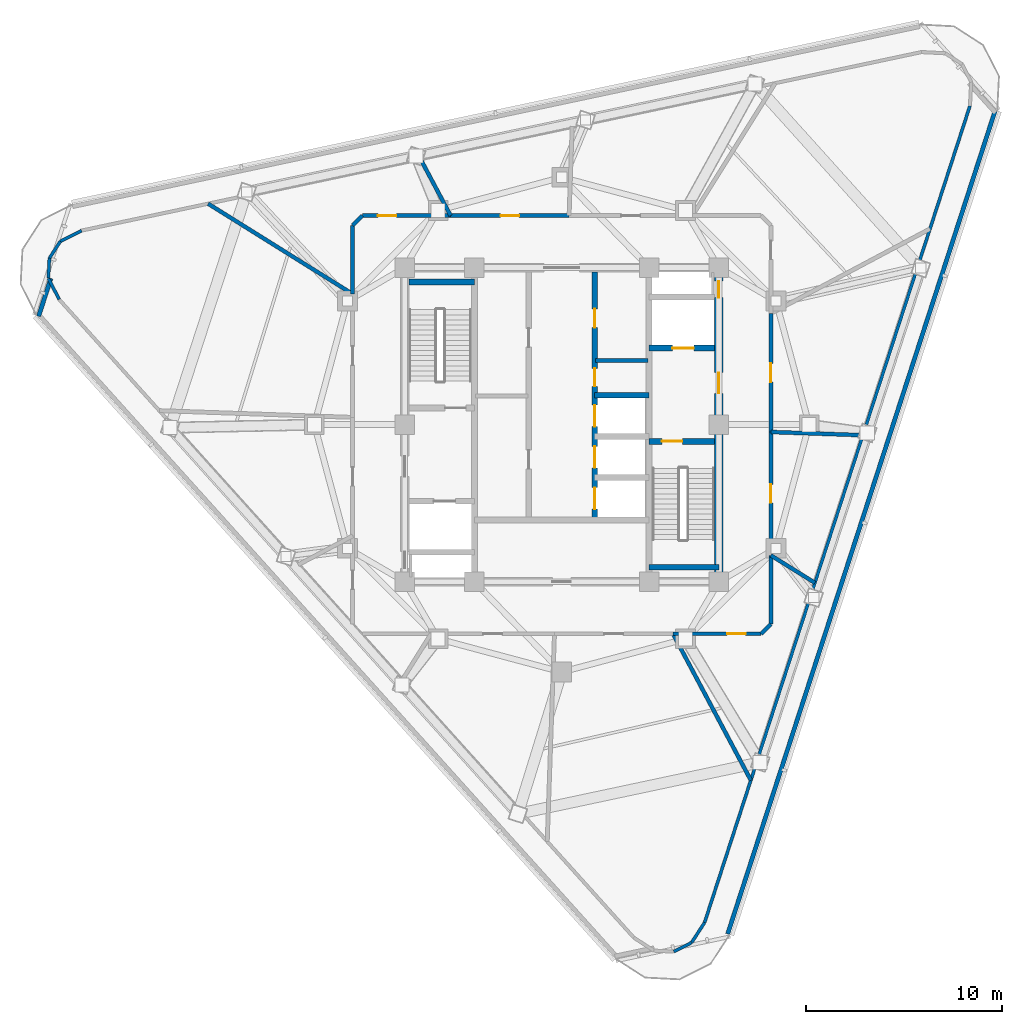
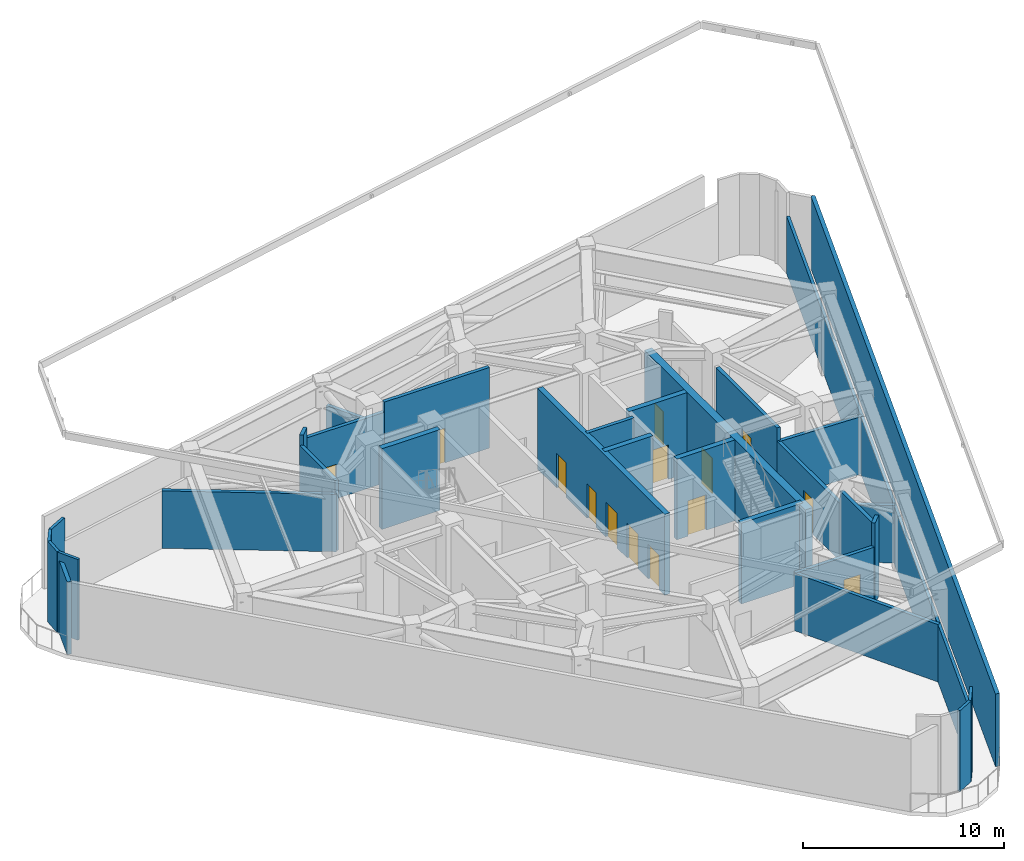
# One storey, part 4 of 10: 31 walls, 14 doors, 14 openings.
"""IFC4 building model written with IfcOpenShell, lengths in metres."""

from ifc_helpers import new_model, si_unit, direction, frame, frame_2d, origin, place, context, subcontext, project, spatial, rectangle, extrude, material, layer, layer_set, type_object, element, fill, save


model = new_model("IFC4")

# Units and contexts
model_context = context("Model", 3, precision=1e-05, world=origin(), true_north=direction((0.0, 1.0)))
body_context = subcontext(model_context, "Body", "Model", "MODEL_VIEW")
ifc_project = project(units=[si_unit("LENGTHUNIT", "METRE"), si_unit("AREAUNIT", "SQUARE_METRE"), si_unit("VOLUMEUNIT", "CUBIC_METRE"), si_unit("PLANEANGLEUNIT", "RADIAN"), si_unit("MASSUNIT", "GRAM", prefix="KILO")], contexts=[model_context])

# Site, building, storey
site_placement = place(None, origin())
site = spatial("IfcSite", under=ifc_project, at=site_placement, CompositionType="ELEMENT")
building_placement = place(site_placement, origin())
building = spatial("IfcBuilding", under=site, at=building_placement, Name="Terralouvre Media Tower", CompositionType="ELEMENT")
storey_placement = place(building_placement, frame((0.0, 0.0, 278.10009765625)))
storey = spatial("IfcBuildingStorey", under=building, at=storey_placement, Name="L72", CompositionType="ELEMENT", Elevation=278.10009765625)

# Wall
ifc_material_1 = material(Name="Concrete C50/60", Category="concrete")
ifc_layer_1 = layer(ifc_material_1, 0.300048828125, Name="Core Internal Shaft Wall CW-300")
ifc_layer_set_1 = layer_set([ifc_layer_1], Name="Concrete C50/60")
wall_type_1 = type_object("IfcWallType", Name="Core Internal Shaft Wall CW-300", PredefinedType="SHEAR", material=ifc_layer_set_1)
wall_1_placement = place(storey_placement, frame((-7.7900390625, 7.260009765625, 0.0), z_axis=(0.0, 0.0, 1.0), x_axis=(1.0, 0.0, 0.0)))
element("IfcWall", 1, at=wall_1_placement, inside=storey, type_object=wall_type_1, Name="L72 Core Shaft Wall ST1F", PredefinedType="SHEAR", context=body_context, shape_type="SweptSolid", body=[
    extrude(rectangle(XDim=3.340087890625, YDim=0.300048828125, at=frame_2d((1.669921875, 0.0))), origin(), (0.0, 0.0, 1.0), 4.89990234375),
])

# Wall, opening, door
wall_2_placement = place(storey_placement, frame((4.449951171875, -0.85009765625, 0.0), z_axis=(0.0, 0.0, 1.0), x_axis=(1.0, 0.0, 0.0)))
wall_2 = element("IfcWall", 2, at=wall_2_placement, inside=storey, type_object=wall_type_1, Name="L72 Core Shaft Wall ST2D", PredefinedType="SHEAR", context=body_context, shape_type="SweptSolid", body=[
    extrude(rectangle(XDim=3.340087890625, YDim=0.300048828125, at=frame_2d((1.669921875, 0.0))), origin(), (0.0, 0.0, 1.0), 4.89990234375),
])
opening_1_placement = place(wall_2_placement, frame((0.64990234375, 0.0, 0.0)))
opening_1 = element("IfcOpeningElement", 3, at=opening_1_placement, cuts=wall_2, Name="Opening FD-01-105X215", PredefinedType="OPENING", context=body_context, shape_type="SweptSolid", body=[
    extrude(rectangle(XDim=1.050048828125, YDim=2.14990234375, at=frame_2d((0.52490234375, 1.074951171875))), frame((0.0, 0.159912109375, 0.0), z_axis=(0.0, -1.0, 0.0), x_axis=(1.0, 0.0, 0.0)), (0.0, 0.0, 1.0), 0.320068359375),
])
ifc_material_2 = material(Name="Galvanised steel fire-resisting leaf", Category="steel")
door_type_1 = type_object("IfcDoorType", Name="Stair and Firefighting Lobby Fire Door FD-01 (1050x2150)", OperationType="NOTDEFINED", PredefinedType="DOOR", material=ifc_material_2)
door_1_placement = place(opening_1_placement, origin())
door_1 = element("IfcDoor", 4, at=door_1_placement, inside=storey, type_object=door_type_1, Name="L72 ST-02 Exit Stair Door", OperationType="SINGLE_SWING_RIGHT", OverallHeight=2.14990234375, OverallWidth=1.050048828125, PredefinedType="DOOR", context=body_context, shape_type="SweptSolid", body=[
    extrude(rectangle(XDim=1.050048828125, YDim=2.14990234375, at=frame_2d((0.52490234375, 1.074951171875))), frame((0.0, 0.02490234375, 0.0), z_axis=(0.0, -1.0, 0.0), x_axis=(1.0, 0.0, 0.0)), (0.0, 0.0, 1.0), 0.050048828125),
])
fill(opening_1, door_1)

# Wall
wall_3_placement = place(storey_placement, frame((4.449951171875, -7.260009765625, 0.0), z_axis=(0.0, 0.0, 1.0), x_axis=(1.0, 0.0, 0.0)))
element("IfcWall", 5, at=wall_3_placement, inside=storey, type_object=wall_type_1, Name="L72 Core Shaft Wall ST2F", PredefinedType="SHEAR", context=body_context, shape_type="SweptSolid", body=[
    extrude(rectangle(XDim=3.550048828125, YDim=0.300048828125, at=frame_2d((1.77490234375, 0.0))), origin(), (0.0, 0.0, 1.0), 4.89990234375),
])

# Wall, opening, door
wall_4_placement = place(storey_placement, frame((4.449951171875, 3.89990234375, 0.0), z_axis=(0.0, 0.0, 1.0), x_axis=(1.0, 0.0, 0.0)))
wall_4 = element("IfcWall", 6, at=wall_4_placement, inside=storey, type_object=wall_type_1, Name="L72 Core Shaft Wall FF2S", PredefinedType="SHEAR", context=body_context, shape_type="SweptSolid", body=[
    extrude(rectangle(XDim=3.340087890625, YDim=0.300048828125, at=frame_2d((1.669921875, 0.0))), origin(), (0.0, 0.0, 1.0), 4.89990234375),
])
opening_2_placement = place(wall_4_placement, frame((1.179931640625, 0.0, 0.0)))
opening_2 = element("IfcOpeningElement", 7, at=opening_2_placement, cuts=wall_4, Name="Opening LD-FF", PredefinedType="OPENING", context=body_context, shape_type="SweptSolid", body=[
    extrude(rectangle(XDim=1.10009765625, YDim=2.10009765625, at=frame_2d((0.550048828125, 1.050048828125))), frame((0.0, 0.159912109375, 0.0), z_axis=(0.0, -1.0, 0.0), x_axis=(1.0, 0.0, 0.0)), (0.0, 0.0, 1.0), 0.320068359375),
])
ifc_material_3 = material(Name="Stainless steel 316 handrail and balustrade", Category="steel")
door_type_2 = type_object("IfcDoorType", Name="Firefighting Lift Sliding Landing Door LD-FF", OperationType="SLIDING_TO_LEFT", PredefinedType="DOOR", material=ifc_material_3)
door_2_placement = place(opening_2_placement, origin())
door_2 = element("IfcDoor", 8, at=door_2_placement, inside=storey, type_object=door_type_2, Name="L72 Firefighting Lift FFL-02 Landing Door", OperationType="SLIDING_TO_LEFT", OverallHeight=2.10009765625, OverallWidth=1.10009765625, PredefinedType="DOOR", context=body_context, shape_type="SweptSolid", body=[
    extrude(rectangle(XDim=1.10009765625, YDim=2.10009765625, at=frame_2d((0.550048828125, 1.050048828125))), frame((0.0, 0.02490234375, 0.0), z_axis=(0.0, -1.0, 0.0), x_axis=(1.0, 0.0, 0.0)), (0.0, 0.0, 1.0), 0.050048828125),
])
fill(opening_2, door_2)

# Wall, openings, doors
wall_5_placement = place(storey_placement, frame((1.679931640625, -4.85009765625, 0.0), z_axis=(0.0, 0.0, 1.0), x_axis=(0.0, 1.0, 0.0)))
wall_5 = element("IfcWall", 9, at=wall_5_placement, inside=storey, type_object=wall_type_1, Name="L72 Core Shaft Wall LBE", PredefinedType="SHEAR", context=body_context, shape_type="SweptSolid", body=[
    extrude(rectangle(XDim=12.64013671875, YDim=0.300048828125, at=frame_2d((6.320068359375, 0.0))), origin(), (0.0, 0.0, 1.0), 4.89990234375),
])
opening_3_placement = place(wall_5_placement, frame((0.550048828125, 0.0, 0.0)))
opening_3 = element("IfcOpeningElement", 10, at=opening_3_placement, cuts=wall_5, Name="Opening LD-PL", PredefinedType="OPENING", context=body_context, shape_type="SweptSolid", body=[
    extrude(rectangle(XDim=1.10009765625, YDim=2.10009765625, at=frame_2d((0.550048828125, 1.050048828125))), frame((0.0, 0.159912109375, 0.0), z_axis=(0.0, -1.0, 0.0), x_axis=(1.0, 0.0, 0.0)), (0.0, 0.0, 1.0), 0.320068359375),
])
opening_4_placement = place(wall_5_placement, frame((2.64990234375, 0.0, 0.0)))
opening_4 = element("IfcOpeningElement", 11, at=opening_4_placement, cuts=wall_5, Name="Opening LD-PL", PredefinedType="OPENING", context=body_context, shape_type="SweptSolid", body=[
    extrude(rectangle(XDim=1.10009765625, YDim=2.10009765625, at=frame_2d((0.550048828125, 1.050048828125))), frame((0.0, 0.159912109375, 0.0), z_axis=(0.0, -1.0, 0.0), x_axis=(1.0, 0.0, 0.0)), (0.0, 0.0, 1.0), 0.320068359375),
])
opening_5_placement = place(wall_5_placement, frame((4.75, 0.0, 0.0)))
opening_5 = element("IfcOpeningElement", 12, at=opening_5_placement, cuts=wall_5, Name="Opening LD-PL", PredefinedType="OPENING", context=body_context, shape_type="SweptSolid", body=[
    extrude(rectangle(XDim=1.10009765625, YDim=2.10009765625, at=frame_2d((0.550048828125, 1.050048828125))), frame((0.0, 0.159912109375, 0.0), z_axis=(0.0, -1.0, 0.0), x_axis=(1.0, 0.0, 0.0)), (0.0, 0.0, 1.0), 0.320068359375),
])
opening_6_placement = place(wall_5_placement, frame((6.800048828125, 0.0, 0.0)))
opening_6 = element("IfcOpeningElement", 13, at=opening_6_placement, cuts=wall_5, Name="Opening FD-05-92X210", PredefinedType="OPENING", context=body_context, shape_type="SweptSolid", body=[
    extrude(rectangle(XDim=0.919921875, YDim=2.10009765625, at=frame_2d((0.4599609375, 1.050048828125))), frame((0.0, 0.159912109375, 0.0), z_axis=(0.0, -1.0, 0.0), x_axis=(1.0, 0.0, 0.0)), (0.0, 0.0, 1.0), 0.320068359375),
])
opening_7_placement = place(wall_5_placement, frame((9.800048828125, 0.0, 0.0)))
opening_7 = element("IfcOpeningElement", 14, at=opening_7_placement, cuts=wall_5, Name="Opening FD-02-95X210", PredefinedType="OPENING", context=body_context, shape_type="SweptSolid", body=[
    extrude(rectangle(XDim=0.949951171875, YDim=2.10009765625, at=frame_2d((0.47509765625, 1.050048828125))), frame((0.0, 0.159912109375, 0.0), z_axis=(0.0, -1.0, 0.0), x_axis=(1.0, 0.0, 0.0)), (0.0, 0.0, 1.0), 0.320068359375),
])
ifc_material_4 = material(Name="Galvanised steel fire-resisting leaf", Category="steel")
door_type_3 = type_object("IfcDoorType", Name="Core Accessible Closet Fire Door FD-05 (920x2100)", OperationType="NOTDEFINED", PredefinedType="DOOR", material=ifc_material_4)
door_3_placement = place(opening_6_placement, origin())
door_3 = element("IfcDoor", 15, at=door_3_placement, inside=storey, type_object=door_type_3, Name="L72 Core Safe Store Door", OperationType="SINGLE_SWING_LEFT", OverallHeight=2.10009765625, OverallWidth=0.919921875, PredefinedType="DOOR", context=body_context, shape_type="SweptSolid", body=[
    extrude(rectangle(XDim=0.919921875, YDim=2.10009765625, at=frame_2d((0.4599609375, 1.050048828125))), frame((0.0, 0.02490234375, 0.0), z_axis=(0.0, -1.0, 0.0), x_axis=(1.0, 0.0, 0.0)), (0.0, 0.0, 1.0), 0.050048828125),
])
fill(opening_6, door_3)
ifc_material_5 = material(Name="Stainless steel 316 handrail and balustrade", Category="steel")
door_type_4 = type_object("IfcDoorType", Name="Passenger Lift Sliding Landing Door LD-PL", OperationType="SLIDING_TO_LEFT", PredefinedType="DOOR", material=ifc_material_5)
door_4_placement = place(opening_3_placement, origin())
door_4 = element("IfcDoor", 16, at=door_4_placement, inside=storey, type_object=door_type_4, Name="L72 High-Rise Lift PL-H1 Landing Door", OperationType="SLIDING_TO_LEFT", OverallHeight=2.10009765625, OverallWidth=1.10009765625, PredefinedType="DOOR", context=body_context, shape_type="SweptSolid", body=[
    extrude(rectangle(XDim=1.10009765625, YDim=2.10009765625, at=frame_2d((0.550048828125, 1.050048828125))), frame((0.0, 0.02490234375, 0.0), z_axis=(0.0, -1.0, 0.0), x_axis=(1.0, 0.0, 0.0)), (0.0, 0.0, 1.0), 0.050048828125),
])
fill(opening_3, door_4)
door_5_placement = place(opening_4_placement, origin())
door_5 = element("IfcDoor", 17, at=door_5_placement, inside=storey, type_object=door_type_4, Name="L72 High-Rise Lift PL-H2 Landing Door", OperationType="SLIDING_TO_LEFT", OverallHeight=2.10009765625, OverallWidth=1.10009765625, PredefinedType="DOOR", context=body_context, shape_type="SweptSolid", body=[
    extrude(rectangle(XDim=1.10009765625, YDim=2.10009765625, at=frame_2d((0.550048828125, 1.050048828125))), frame((0.0, 0.02490234375, 0.0), z_axis=(0.0, -1.0, 0.0), x_axis=(1.0, 0.0, 0.0)), (0.0, 0.0, 1.0), 0.050048828125),
])
fill(opening_4, door_5)
door_6_placement = place(opening_5_placement, origin())
door_6 = element("IfcDoor", 18, at=door_6_placement, inside=storey, type_object=door_type_4, Name="L72 High-Rise Lift PL-H3 Landing Door", OperationType="SLIDING_TO_LEFT", OverallHeight=2.10009765625, OverallWidth=1.10009765625, PredefinedType="DOOR", context=body_context, shape_type="SweptSolid", body=[
    extrude(rectangle(XDim=1.10009765625, YDim=2.10009765625, at=frame_2d((0.550048828125, 1.050048828125))), frame((0.0, 0.02490234375, 0.0), z_axis=(0.0, -1.0, 0.0), x_axis=(1.0, 0.0, 0.0)), (0.0, 0.0, 1.0), 0.050048828125),
])
fill(opening_5, door_6)
ifc_material_6 = material(Name="Galvanised steel fire-resisting leaf", Category="steel")
door_type_5 = type_object("IfcDoorType", Name="Plant and Riser Fire Door FD-02 (950x2100)", OperationType="NOTDEFINED", PredefinedType="DOOR", material=ifc_material_6)
door_7_placement = place(opening_7_placement, origin())
door_7 = element("IfcDoor", 19, at=door_7_placement, inside=storey, type_object=door_type_5, Name="L72 Core IT Patch Plant Door", OperationType="SINGLE_SWING_RIGHT", OverallHeight=2.10009765625, OverallWidth=0.949951171875, PredefinedType="DOOR", context=body_context, shape_type="SweptSolid", body=[
    extrude(rectangle(XDim=0.949951171875, YDim=2.10009765625, at=frame_2d((0.47509765625, 1.050048828125))), frame((0.0, 0.02490234375, 0.0), z_axis=(0.0, -1.0, 0.0), x_axis=(1.0, 0.0, 0.0)), (0.0, 0.0, 1.0), 0.050048828125),
])
fill(opening_7, door_7)

# Wall
wall_6_placement = place(storey_placement, frame((1.679931640625, 1.5, 0.0), z_axis=(0.0, 0.0, 1.0), x_axis=(1.0, 0.0, 0.0)))
element("IfcWall", 20, at=wall_6_placement, inside=storey, type_object=wall_type_1, Name="L72 Core Shaft Wall PLMBOT", PredefinedType="SHEAR", context=body_context, shape_type="SweptSolid", body=[
    extrude(rectangle(XDim=2.77001953125, YDim=0.300048828125, at=frame_2d((1.385009765625, 0.0))), origin(), (0.0, 0.0, 1.0), 4.89990234375),
])

# Wall, openings, doors
ifc_material_7 = material(Name="Concrete C60/75", Category="concrete")
ifc_layer_2 = layer(ifc_material_7, 0.419921875, Name="Core Reinforced Concrete Shear Wall CW-420")
ifc_layer_set_2 = layer_set([ifc_layer_2], Name="Concrete C60/75")
wall_type_2 = type_object("IfcWallType", Name="Core Reinforced Concrete Shear Wall CW-420", PredefinedType="SHEAR", material=ifc_layer_set_2)
wall_7_placement = place(storey_placement, frame((8.0, -8.0, 0.0), z_axis=(0.0, 0.0, 1.0), x_axis=(0.0, 1.0, 0.0)))
wall_7 = element("IfcWall", 21, at=wall_7_placement, inside=storey, type_object=wall_type_2, Name="L72 E Core Shear Wall", PredefinedType="SHEAR", context=body_context, shape_type="SweptSolid", body=[
    extrude(rectangle(XDim=16.0, YDim=0.419921875, at=frame_2d((8.0, 0.0))), origin(), (0.0, 0.0, 1.0), 4.89990234375),
])
opening_8_placement = place(wall_7_placement, frame((9.60009765625, 0.0, 0.0)))
opening_8 = element("IfcOpeningElement", 22, at=opening_8_placement, cuts=wall_7, Name="Opening FD-01-105X215", PredefinedType="OPENING", context=body_context, shape_type="SweptSolid", body=[
    extrude(rectangle(XDim=1.050048828125, YDim=2.14990234375, at=frame_2d((0.52490234375, 1.074951171875))), frame((0.0, 0.219970703125, 0.0), z_axis=(0.0, -1.0, 0.0), x_axis=(1.0, 0.0, 0.0)), (0.0, 0.0, 1.0), 0.43994140625),
])
opening_9_placement = place(wall_7_placement, frame((14.468994140625, 0.0, 0.0)))
opening_9 = element("IfcOpeningElement", 23, at=opening_9_placement, cuts=wall_7, Name="Opening TD-R1", PredefinedType="OPENING", context=body_context, shape_type="SweptSolid", body=[
    extrude(rectangle(XDim=0.85009765625, YDim=2.02001953125, at=frame_2d((0.425048828125, 1.010009765625))), frame((0.0, 0.219970703125, 0.0), z_axis=(0.0, -1.0, 0.0), x_axis=(1.0, 0.0, 0.0)), (0.0, 0.0, 1.0), 0.43994140625),
])
ifc_material_8 = material(Name="Galvanised steel fire-resisting leaf", Category="steel")
door_type_6 = type_object("IfcDoorType", Name="Riser Inspection Access Trapdoor TD-R1", OperationType="NOTDEFINED", PredefinedType="TRAPDOOR", material=ifc_material_8)
door_8_placement = place(opening_9_placement, origin())
door_8 = element("IfcDoor", 24, at=door_8_placement, inside=storey, type_object=door_type_6, Name="L72 East Comms Riser Access Trapdoor", OperationType="SINGLE_SWING_RIGHT", OverallHeight=2.02001953125, OverallWidth=0.85009765625, PredefinedType="TRAPDOOR", context=body_context, shape_type="SweptSolid", body=[
    extrude(rectangle(XDim=0.85009765625, YDim=2.02001953125, at=frame_2d((0.425048828125, 1.010009765625))), frame((0.0, 0.02490234375, 0.0), z_axis=(0.0, -1.0, 0.0), x_axis=(1.0, 0.0, 0.0)), (0.0, 0.0, 1.0), 0.050048828125),
])
fill(opening_9, door_8)
door_9_placement = place(opening_8_placement, origin())
door_9 = element("IfcDoor", 25, at=door_9_placement, inside=storey, type_object=door_type_1, Name="L72 East Firefighting Lobby Entry Door", OperationType="SINGLE_SWING_LEFT", OverallHeight=2.14990234375, OverallWidth=1.050048828125, PredefinedType="DOOR", context=body_context, shape_type="SweptSolid", body=[
    extrude(rectangle(XDim=1.050048828125, YDim=2.14990234375, at=frame_2d((0.52490234375, 1.074951171875))), frame((0.0, 0.02490234375, 0.0), z_axis=(0.0, -1.0, 0.0), x_axis=(1.0, 0.0, 0.0)), (0.0, 0.0, 1.0), 0.050048828125),
])
fill(opening_8, door_9)

# Walls
ifc_material_9 = material(Name="Fire-rated gypsum board drywall partition")
ifc_layer_3 = layer(ifc_material_9, 0.199951171875, Name="Fire-Rated Shaft and Lobby Partition FW-200")
ifc_layer_set_3 = layer_set([ifc_layer_3], Name="Fire-rated gypsum board drywall partition")
wall_type_3 = type_object("IfcWallType", Name="Fire-Rated Shaft and Lobby Partition FW-200", PredefinedType="SOLIDWALL", material=ifc_layer_set_3)
wall_8_placement = place(storey_placement, frame((1.719970703125, 3.27001953125, 0.0), z_axis=(0.0, 0.0, 1.0), x_axis=(1.0, 0.0, 0.0)))
element("IfcWall", 26, at=wall_8_placement, inside=storey, type_object=wall_type_3, Name="L72 Core East Sub-Partition 1", PredefinedType="SOLIDWALL", context=body_context, shape_type="SweptSolid", body=[
    extrude(rectangle(XDim=2.679931640625, YDim=0.199951171875, at=frame_2d((1.33984375, 0.0))), origin(), (0.0, 0.0, 1.0), 4.89990234375),
])
wall_9_placement = place(storey_placement, frame((-25.60205078125, 6.380859375, 0.0), z_axis=(0.0, 0.0, 1.0), x_axis=(-0.453961953638, 0.891021068577, 0.0)))
element("IfcWall", 27, at=wall_9_placement, inside=storey, type_object=wall_type_3, Name="L72 Belt-Truss Acoustic Plenum Liner Wall 02", PredefinedType="SOLIDWALL", context=body_context, shape_type="SweptSolid", body=[
    extrude(rectangle(XDim=1.21337890625, YDim=0.159912109375, at=frame_2d((0.606689453125, 0.0))), origin(), (0.0, 0.0, 1.0), 4.89990234375),
])
wall_10_placement = place(storey_placement, frame((-26.15283203125, 7.4619140625, 0.0), z_axis=(0.0, 0.0, 1.0), x_axis=(0.052433169821, 0.998624435262, 0.0)))
element("IfcWall", 28, at=wall_10_placement, inside=storey, type_object=wall_type_3, Name="L72 Belt-Truss Acoustic Plenum Liner Wall 03", PredefinedType="SOLIDWALL", context=body_context, shape_type="SweptSolid", body=[
    extrude(rectangle(XDim=1.019775390625, YDim=0.159912109375, at=frame_2d((0.509765625, 0.0))), origin(), (0.0, 0.0, 1.0), 4.89990234375),
])
wall_11_placement = place(storey_placement, frame((-26.099365234375, 8.480224609375, 0.0), z_axis=(0.0, 0.0, 1.0), x_axis=(0.544491696381, 0.838766232375, 0.0)))
element("IfcWall", 29, at=wall_11_placement, inside=storey, type_object=wall_type_3, Name="L72 Belt-Truss Acoustic Plenum Liner Wall 04", PredefinedType="SOLIDWALL", context=body_context, shape_type="SweptSolid", body=[
    extrude(rectangle(XDim=1.01953125, YDim=0.159912109375, at=frame_2d((0.509765625, 0.0))), origin(), (0.0, 0.0, 1.0), 4.89990234375),
])
wall_12_placement = place(storey_placement, frame((-25.544189453125, 9.33544921875, 0.0), z_axis=(0.0, 0.0, 1.0), x_axis=(0.891021068577, 0.453961953638, 0.0)))
element("IfcWall", 30, at=wall_12_placement, inside=storey, type_object=wall_type_3, Name="L72 Belt-Truss Acoustic Plenum Liner Wall 05", PredefinedType="SOLIDWALL", context=body_context, shape_type="SweptSolid", body=[
    extrude(rectangle(XDim=1.21337890625, YDim=0.159912109375, at=frame_2d((0.606689453125, 0.0))), origin(), (0.0, 0.0, 1.0), 4.89990234375),
])
wall_13_placement = place(storey_placement, frame((20.793212890625, 16.242431640625, 0.0), z_axis=(0.0, 0.0, 1.0), x_axis=(-0.309017675271, -0.951056295058, 0.0)))
element("IfcWall", 31, at=wall_13_placement, inside=storey, type_object=wall_type_3, Name="L72 Belt-Truss Acoustic Plenum Liner Wall 11", PredefinedType="SOLIDWALL", context=body_context, shape_type="SweptSolid", body=[
    extrude(rectangle(XDim=43.74609375, YDim=0.159912109375, at=frame_2d((21.873046875, 0.0))), origin(), (0.0, 0.0, 1.0), 3.48486328125),
])
wall_14_placement = place(storey_placement, frame((7.27490234375, -25.362548828125, 0.0), z_axis=(0.0, 0.0, 1.0), x_axis=(-0.544627505824, -0.838678054977, 0.0)))
element("IfcWall", 32, at=wall_14_placement, inside=storey, type_object=wall_type_3, Name="L72 Belt-Truss Acoustic Plenum Liner Wall 12", PredefinedType="SOLIDWALL", context=body_context, shape_type="SweptSolid", body=[
    extrude(rectangle(XDim=1.213134765625, YDim=0.159912109375, at=frame_2d((0.6064453125, 0.0))), origin(), (0.0, 0.0, 1.0), 4.89990234375),
])
wall_15_placement = place(storey_placement, frame((6.6142578125, -26.3798828125, 0.0), z_axis=(0.0, 0.0, 1.0), x_axis=(-0.890953622573, -0.454094310054, 0.0)))
element("IfcWall", 33, at=wall_15_placement, inside=storey, type_object=wall_type_3, Name="L72 Belt-Truss Acoustic Plenum Liner Wall 13", PredefinedType="SOLIDWALL", context=body_context, shape_type="SweptSolid", body=[
    extrude(rectangle(XDim=1.02001953125, YDim=0.159912109375, at=frame_2d((0.510009765625, 0.0))), origin(), (0.0, 0.0, 1.0), 4.89990234375),
])

# Wall, opening, door
wall_16_placement = place(storey_placement, frame((5.6630859375, -10.64990234375, 0.0), z_axis=(0.0, 0.0, 1.0), x_axis=(1.0, 0.0, 0.0)))
wall_16 = element("IfcWall", 34, at=wall_16_placement, inside=storey, type_object=wall_type_3, Name="L72 Interior Partition 007", PredefinedType="SOLIDWALL", context=body_context, shape_type="SweptSolid", body=[
    extrude(rectangle(XDim=4.48681640625, YDim=0.199951171875, at=frame_2d((2.243408203125, 0.0))), origin(), (0.0, 0.0, 1.0), 3.48486328125),
])
opening_10_placement = place(wall_16_placement, frame((2.755615234375, 0.0, 0.0)))
opening_10 = element("IfcOpeningElement", 35, at=opening_10_placement, cuts=wall_16, Name="Opening FD-02-95X210", PredefinedType="OPENING", context=body_context, shape_type="SweptSolid", body=[
    extrude(rectangle(XDim=0.949951171875, YDim=2.10009765625, at=frame_2d((0.47509765625, 1.050048828125))), frame((0.0, 0.10986328125, 0.0), z_axis=(0.0, -1.0, 0.0), x_axis=(1.0, 0.0, 0.0)), (0.0, 0.0, 1.0), 0.219970703125),
])
door_10_placement = place(opening_10_placement, origin())
door_10 = element("IfcDoor", 36, at=door_10_placement, inside=storey, type_object=door_type_5, Name="L72 High-Voltage Transformer and Switchgear Plant Room Door", OperationType="SINGLE_SWING_RIGHT", OverallHeight=2.10009765625, OverallWidth=0.949951171875, PredefinedType="DOOR", context=body_context, shape_type="SweptSolid", body=[
    extrude(rectangle(XDim=0.949951171875, YDim=2.10009765625, at=frame_2d((0.47509765625, 1.050048828125))), frame((0.0, 0.02490234375, 0.0), z_axis=(0.0, -1.0, 0.0), x_axis=(1.0, 0.0, 0.0)), (0.0, 0.0, 1.0), 0.050048828125),
])
fill(opening_10, door_10)

# Walls
wall_17_placement = place(storey_placement, frame((10.14990234375, -10.64990234375, 0.0), z_axis=(0.0, 0.0, 1.0), x_axis=(0.707106781187, 0.707106781187, 0.0)))
element("IfcWall", 37, at=wall_17_placement, inside=storey, type_object=wall_type_3, Name="L72 Interior Partition 008", PredefinedType="SOLIDWALL", context=body_context, shape_type="SweptSolid", body=[
    extrude(rectangle(XDim=0.70703125, YDim=0.199951171875, at=frame_2d((0.353515625, 0.0))), origin(), (0.0, 0.0, 1.0), 4.89990234375),
])
wall_18_placement = place(storey_placement, frame((10.64990234375, -10.14990234375, 0.0), z_axis=(0.0, 0.0, 1.0), x_axis=(0.0, 1.0, 0.0)))
element("IfcWall", 38, at=wall_18_placement, inside=storey, type_object=wall_type_3, Name="L72 Interior Partition 009", PredefinedType="SOLIDWALL", context=body_context, shape_type="SweptSolid", body=[
    extrude(rectangle(XDim=3.494873046875, YDim=0.199951171875, at=frame_2d((1.74755859375, 0.0))), origin(), (0.0, 0.0, 1.0), 4.284912109375),
])

# Wall, opening, door
wall_19_placement = place(storey_placement, frame((10.64990234375, -6.655029296875, 0.0), z_axis=(0.0, 0.0, 1.0), x_axis=(0.0, 1.0, 0.0)))
wall_19 = element("IfcWall", 39, at=wall_19_placement, inside=storey, type_object=wall_type_3, Name="L72 Interior Partition 010", PredefinedType="SOLIDWALL", context=body_context, shape_type="SweptSolid", body=[
    extrude(rectangle(XDim=6.282958984375, YDim=0.199951171875, at=frame_2d((3.1416015625, 0.0))), origin(), (0.0, 0.0, 1.0), 3.48486328125),
])
opening_11_placement = place(wall_19_placement, frame((2.66650390625, 0.0, 0.0)))
opening_11 = element("IfcOpeningElement", 40, at=opening_11_placement, cuts=wall_19, Name="Opening FD-02-95X210", PredefinedType="OPENING", context=body_context, shape_type="SweptSolid", body=[
    extrude(rectangle(XDim=0.949951171875, YDim=2.10009765625, at=frame_2d((0.47509765625, 1.050048828125))), frame((0.0, 0.10986328125, 0.0), z_axis=(0.0, -1.0, 0.0), x_axis=(1.0, 0.0, 0.0)), (0.0, 0.0, 1.0), 0.219970703125),
])
door_11_placement = place(opening_11_placement, origin())
door_11 = element("IfcDoor", 41, at=door_11_placement, inside=storey, type_object=door_type_5, Name="L72 Emergency Stair Pressurisation Fan Plant Room Door", OperationType="SINGLE_SWING_LEFT", OverallHeight=2.10009765625, OverallWidth=0.949951171875, PredefinedType="DOOR", context=body_context, shape_type="SweptSolid", body=[
    extrude(rectangle(XDim=0.949951171875, YDim=2.10009765625, at=frame_2d((0.47509765625, 1.050048828125))), frame((0.0, 0.02490234375, 0.0), z_axis=(0.0, -1.0, 0.0), x_axis=(1.0, 0.0, 0.0)), (0.0, 0.0, 1.0), 0.050048828125),
])
fill(opening_11, door_11)

wall_20_placement = place(storey_placement, frame((10.64990234375, -0.3720703125, 0.0), z_axis=(0.0, 0.0, 1.0), x_axis=(0.0, 1.0, 0.0)))
wall_20 = element("IfcWall", 42, at=wall_20_placement, inside=storey, type_object=wall_type_3, Name="L72 Interior Partition 011", PredefinedType="SOLIDWALL", context=body_context, shape_type="SweptSolid", body=[
    extrude(rectangle(XDim=6.03515625, YDim=0.199951171875, at=frame_2d((3.017578125, 0.0))), origin(), (0.0, 0.0, 1.0), 4.284912109375),
])
opening_12_placement = place(wall_20_placement, frame((2.54248046875, 0.0, 0.0)))
opening_12 = element("IfcOpeningElement", 43, at=opening_12_placement, cuts=wall_20, Name="Opening FD-02-95X210", PredefinedType="OPENING", context=body_context, shape_type="SweptSolid", body=[
    extrude(rectangle(XDim=0.949951171875, YDim=2.10009765625, at=frame_2d((0.47509765625, 1.050048828125))), frame((0.0, 0.10986328125, 0.0), z_axis=(0.0, -1.0, 0.0), x_axis=(1.0, 0.0, 0.0)), (0.0, 0.0, 1.0), 0.219970703125),
])
door_12_placement = place(opening_12_placement, origin())
door_12 = element("IfcDoor", 44, at=door_12_placement, inside=storey, type_object=door_type_5, Name="L72 Designated Pressurised Refuge Holding Area East Door", OperationType="SINGLE_SWING_RIGHT", OverallHeight=2.10009765625, OverallWidth=0.949951171875, PredefinedType="DOOR", context=body_context, shape_type="SweptSolid", body=[
    extrude(rectangle(XDim=0.949951171875, YDim=2.10009765625, at=frame_2d((0.47509765625, 1.050048828125))), frame((0.0, 0.02490234375, 0.0), z_axis=(0.0, -1.0, 0.0), x_axis=(1.0, 0.0, 0.0)), (0.0, 0.0, 1.0), 0.050048828125),
])
fill(opening_12, door_12)

wall_21_placement = place(storey_placement, frame((0.3720703125, 10.64990234375, 0.0), z_axis=(0.0, 0.0, 1.0), x_axis=(-1.0, 0.0, 0.0)))
wall_21 = element("IfcWall", 45, at=wall_21_placement, inside=storey, type_object=wall_type_3, Name="L72 Interior Partition 016", PredefinedType="SOLIDWALL", context=body_context, shape_type="SweptSolid", body=[
    extrude(rectangle(XDim=6.03515625, YDim=0.199951171875, at=frame_2d((3.017578125, 0.0))), origin(), (0.0, 0.0, 1.0), 4.89990234375),
])
opening_13_placement = place(wall_21_placement, frame((2.54248046875, 0.0, 0.0)))
opening_13 = element("IfcOpeningElement", 46, at=opening_13_placement, cuts=wall_21, Name="Opening FD-02-95X210", PredefinedType="OPENING", context=body_context, shape_type="SweptSolid", body=[
    extrude(rectangle(XDim=0.949951171875, YDim=2.10009765625, at=frame_2d((0.47509765625, 1.050048828125))), frame((0.0, 0.10986328125, 0.0), z_axis=(0.0, -1.0, 0.0), x_axis=(1.0, 0.0, 0.0)), (0.0, 0.0, 1.0), 0.219970703125),
])
door_13_placement = place(opening_13_placement, origin())
door_13 = element("IfcDoor", 47, at=door_13_placement, inside=storey, type_object=door_type_5, Name="L72 Condenser Water Booster Pump Plant Room Door", OperationType="SINGLE_SWING_LEFT", OverallHeight=2.10009765625, OverallWidth=0.949951171875, PredefinedType="DOOR", context=body_context, shape_type="SweptSolid", body=[
    extrude(rectangle(XDim=0.949951171875, YDim=2.10009765625, at=frame_2d((0.47509765625, 1.050048828125))), frame((0.0, 0.02490234375, 0.0), z_axis=(0.0, -1.0, 0.0), x_axis=(1.0, 0.0, 0.0)), (0.0, 0.0, 1.0), 0.050048828125),
])
fill(opening_13, door_13)

wall_22_placement = place(storey_placement, frame((-5.6630859375, 10.64990234375, 0.0), z_axis=(0.0, 0.0, 1.0), x_axis=(-1.0, 0.0, 0.0)))
wall_22 = element("IfcWall", 48, at=wall_22_placement, inside=storey, type_object=wall_type_3, Name="L72 Interior Partition 017", PredefinedType="SOLIDWALL", context=body_context, shape_type="SweptSolid", body=[
    extrude(rectangle(XDim=4.48681640625, YDim=0.199951171875, at=frame_2d((2.243408203125, 0.0))), origin(), (0.0, 0.0, 1.0), 4.284912109375),
])
opening_14_placement = place(wall_22_placement, frame((2.755615234375, 0.0, 0.0)))
opening_14 = element("IfcOpeningElement", 49, at=opening_14_placement, cuts=wall_22, Name="Opening FD-02-95X210", PredefinedType="OPENING", context=body_context, shape_type="SweptSolid", body=[
    extrude(rectangle(XDim=0.949951171875, YDim=2.10009765625, at=frame_2d((0.47509765625, 1.050048828125))), frame((0.0, 0.10986328125, 0.0), z_axis=(0.0, -1.0, 0.0), x_axis=(1.0, 0.0, 0.0)), (0.0, 0.0, 1.0), 0.219970703125),
])
door_14_placement = place(opening_14_placement, origin())
door_14 = element("IfcDoor", 50, at=door_14_placement, inside=storey, type_object=door_type_5, Name="L72 Belt-Truss Damper Hydraulic Plant Room Door", OperationType="SINGLE_SWING_RIGHT", OverallHeight=2.10009765625, OverallWidth=0.949951171875, PredefinedType="DOOR", context=body_context, shape_type="SweptSolid", body=[
    extrude(rectangle(XDim=0.949951171875, YDim=2.10009765625, at=frame_2d((0.47509765625, 1.050048828125))), frame((0.0, 0.02490234375, 0.0), z_axis=(0.0, -1.0, 0.0), x_axis=(1.0, 0.0, 0.0)), (0.0, 0.0, 1.0), 0.050048828125),
])
fill(opening_14, door_14)

# Walls
wall_23_placement = place(storey_placement, frame((-10.14990234375, 10.64990234375, 0.0), z_axis=(0.0, 0.0, 1.0), x_axis=(-0.707106781187, -0.707106781187, 0.0)))
element("IfcWall", 51, at=wall_23_placement, inside=storey, type_object=wall_type_3, Name="L72 Interior Partition 018", PredefinedType="SOLIDWALL", context=body_context, shape_type="SweptSolid", body=[
    extrude(rectangle(XDim=0.70703125, YDim=0.199951171875, at=frame_2d((0.353515625, 0.0))), origin(), (0.0, 0.0, 1.0), 4.89990234375),
])
wall_24_placement = place(storey_placement, frame((-10.64990234375, 10.14990234375, 0.0), z_axis=(0.0, 0.0, 1.0), x_axis=(0.0, -1.0, 0.0)))
element("IfcWall", 52, at=wall_24_placement, inside=storey, type_object=wall_type_3, Name="L72 Interior Partition 019", PredefinedType="SOLIDWALL", context=body_context, shape_type="SweptSolid", body=[
    extrude(rectangle(XDim=3.494873046875, YDim=0.199951171875, at=frame_2d((1.74755859375, 0.0))), origin(), (0.0, 0.0, 1.0), 4.284912109375),
])
wall_25_placement = place(storey_placement, frame((9.631103515625, -18.113037109375, 0.0), z_axis=(0.0, 0.0, 1.0), x_axis=(-0.46945297151, 0.882957477764, 0.0)))
element("IfcWall", 53, at=wall_25_placement, inside=storey, type_object=wall_type_3, Name="L72 Interior Partition 025", PredefinedType="SOLIDWALL", context=body_context, shape_type="SweptSolid", body=[
    extrude(rectangle(XDim=8.452392578125, YDim=0.199951171875, at=frame_2d((4.22607421875, 0.0))), origin(), (0.0, 0.0, 1.0), 3.48486328125),
])
wall_26_placement = place(storey_placement, frame((12.897216796875, -8.05908203125, 0.0), z_axis=(0.0, 0.0, 1.0), x_axis=(-0.848086284719, 0.529858144858, 0.0)))
element("IfcWall", 54, at=wall_26_placement, inside=storey, type_object=wall_type_3, Name="L72 Interior Partition 026", PredefinedType="SOLIDWALL", context=body_context, shape_type="SweptSolid", body=[
    extrude(rectangle(XDim=2.64990234375, YDim=0.199951171875, at=frame_2d((1.324951171875, 0.0))), origin(), (0.0, 0.0, 1.0), 3.48486328125),
])
wall_27_placement = place(storey_placement, frame((15.342041015625, -0.535888671875, 0.0), z_axis=(0.0, 0.0, 1.0), x_axis=(-0.999391085021, 0.034892107708, 0.0)))
element("IfcWall", 55, at=wall_27_placement, inside=storey, type_object=wall_type_3, Name="L72 Interior Partition 027", PredefinedType="SOLIDWALL", context=body_context, shape_type="SweptSolid", body=[
    extrude(rectangle(XDim=4.695068359375, YDim=0.199951171875, at=frame_2d((2.34765625, 0.0))), origin(), (0.0, 0.0, 1.0), 3.48486328125),
])
wall_28_placement = place(storey_placement, frame((-7.20703125, 13.55419921875, 0.0), z_axis=(0.0, 0.0, 1.0), x_axis=(0.469401231217, -0.882984985224, 0.0)))
element("IfcWall", 56, at=wall_28_placement, inside=storey, type_object=wall_type_3, Name="L72 Interior Partition 031", PredefinedType="SOLIDWALL", context=body_context, shape_type="SweptSolid", body=[
    extrude(rectangle(XDim=3.2890625, YDim=0.199951171875, at=frame_2d((1.64453125, 0.0))), origin(), (0.0, 0.0, 1.0), 3.48486328125),
])
wall_29_placement = place(storey_placement, frame((-18.014892578125, 11.257080078125, 0.0), z_axis=(0.0, 0.0, 1.0), x_axis=(0.848053575724, -0.529910494991, 0.0)))
element("IfcWall", 57, at=wall_29_placement, inside=storey, type_object=wall_type_3, Name="L72 Interior Partition 032", PredefinedType="SOLIDWALL", context=body_context, shape_type="SweptSolid", body=[
    extrude(rectangle(XDim=8.6845703125, YDim=0.199951171875, at=frame_2d((4.34228515625, 0.0))), origin(), (0.0, 0.0, 1.0), 3.48486328125),
])
ifc_material_10 = material(Name="Kiln-fired architectural terracotta rainscreen cladding", Category="masonry")
ifc_layer_4 = layer(ifc_material_10, 0.260009765625, Name="Recessed Sky-Garden Acoustic Wall EW-SG260")
ifc_layer_set_4 = layer_set([ifc_layer_4], Name="Kiln-fired architectural terracotta rainscreen cladding")
wall_type_4 = type_object("IfcWallType", Name="Recessed Sky-Garden Acoustic Wall EW-SG260", PredefinedType="SOLIDWALL", material=ifc_layer_set_4)
wall_30_placement = place(storey_placement, frame((8.45361328125, -25.94189453125, 0.0), z_axis=(0.0, 0.0, 1.0), x_axis=(0.309017253685, 0.95105643204, 0.0)))
element("IfcWall", 58, at=wall_30_placement, inside=storey, type_object=wall_type_4, Name="L72 Facade Curtain Wall F0 Acoustic Plant Plinth Wall", PredefinedType="SOLIDWALL", context=body_context, shape_type="SweptSolid", body=[
    extrude(rectangle(XDim=44.119873046875, YDim=0.219970703125, at=frame_2d((22.06005859375, 0.0))), origin(), (0.0, 0.0, 1.0), 4.39990234375),
])
wall_31_placement = place(storey_placement, frame((-26.0224609375, 7.455078125, 0.0), z_axis=(0.0, 0.0, 1.0), x_axis=(-0.309031629186, -0.951051761032, 0.0)))
element("IfcWall", 59, at=wall_31_placement, inside=storey, type_object=wall_type_4, Name="L72 Rounded Wind-Corner Curtain Wall C2 Acoustic Plant Plinth Wall", PredefinedType="SOLIDWALL", context=body_context, shape_type="SweptSolid", body=[
    extrude(rectangle(XDim=2.028076171875, YDim=0.219970703125, at=frame_2d((1.01416015625, 0.0))), origin(), (0.0, 0.0, 1.0), 4.39990234375),
])

save(model, "model.ifc")
